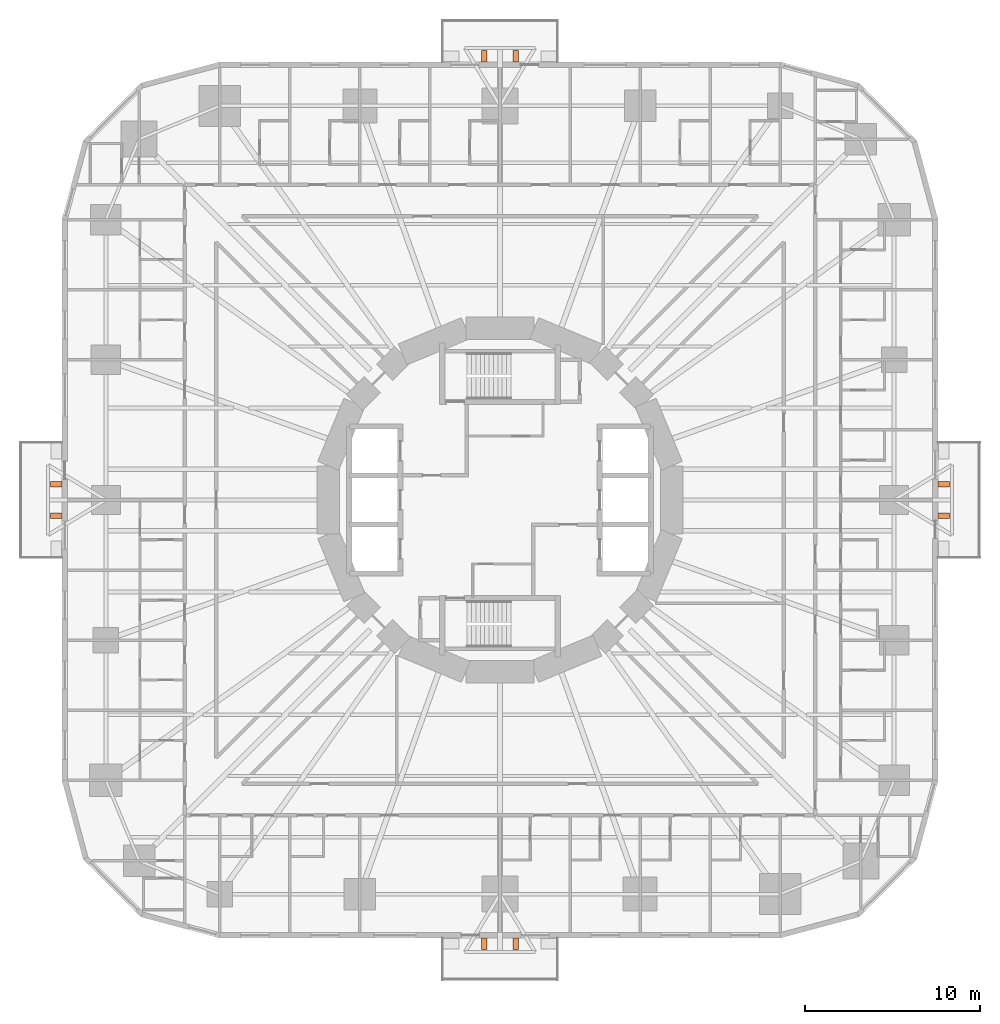
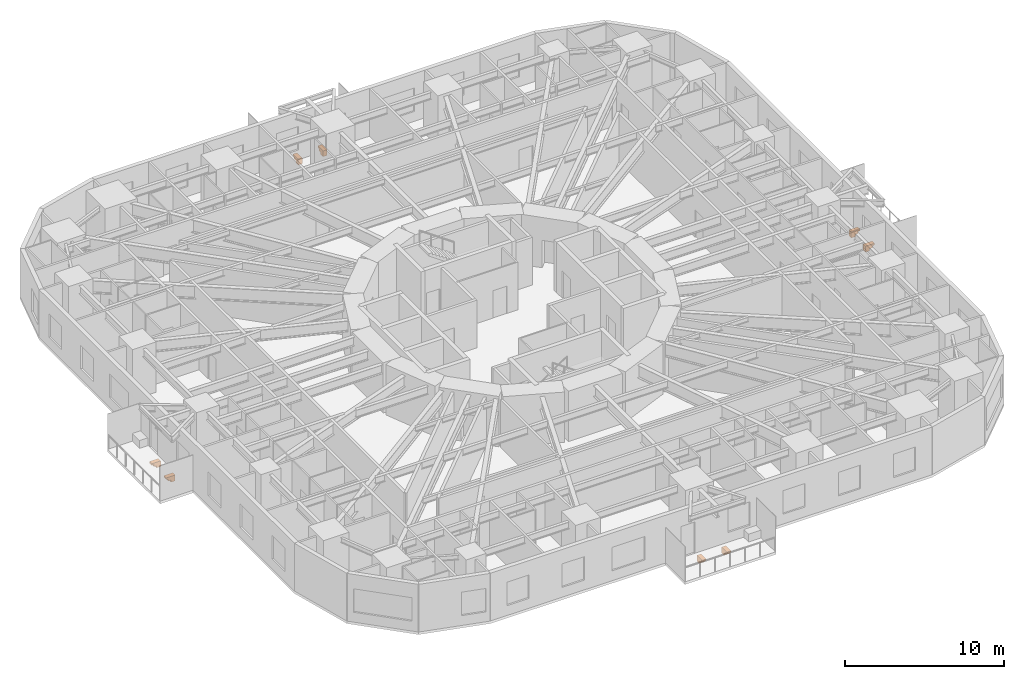
# One storey, part 14 of 14: 8 proxies.
"""IFC4 building model written with IfcOpenShell, lengths in metres."""

from ifc_helpers import new_model, si_unit, direction, frame, origin, place, context, subcontext, project, spatial, polyline, outline, extrude, material, type_object, element, save


model = new_model("IFC4")

# Units and contexts
model_context = context("Model", 3, precision=1e-05, world=origin(), true_north=direction((0.0, 1.0)))
body_context = subcontext(model_context, "Body", "Model", "MODEL_VIEW")
ifc_project = project(units=[si_unit("LENGTHUNIT", "METRE"), si_unit("AREAUNIT", "SQUARE_METRE"), si_unit("VOLUMEUNIT", "CUBIC_METRE"), si_unit("PLANEANGLEUNIT", "RADIAN"), si_unit("MASSUNIT", "GRAM", prefix="KILO")], contexts=[model_context])

# Site, building, storey
site_placement = place(None, origin())
site = spatial("IfcSite", under=ifc_project, at=site_placement, CompositionType="ELEMENT")
building_placement = place(site_placement, origin())
building = spatial("IfcBuilding", under=site, at=building_placement, Name="Nakasero Lantern House", CompositionType="ELEMENT")
storey_placement = place(building_placement, frame((0.0, 0.0, 46.800048828125)))
storey = spatial("IfcBuildingStorey", under=building, at=storey_placement, Name="L11", CompositionType="ELEMENT", Elevation=46.800048828125)

# Proxies
ifc_material = material(Name="Concrete C40/50 precast", Category="concrete")
building_element_proxy_type = type_object("IfcBuildingElementProxyType", Name="Balcony bracket 300", PredefinedType="USERDEFINED", material=ifc_material)
for number, where, z_axis, x_axis, name in (
    (1, (25.0, -0.89990234375, -0.199951171875), (0.0, 0.0, 1.0), (1.0, 0.0, 0.0), "Balcony bracket L11 0A"),
    (2, (25.0, 0.89990234375, -0.199951171875), (0.0, 0.0, 1.0), (1.0, 0.0, 0.0), "Balcony bracket L11 0B"),
    (3, (0.89990234375, 25.0, -0.199951171875), (0.0, 0.0, 1.0), (0.0, 1.0, 0.0), "Balcony bracket L11 1A"),
    (4, (-0.89990234375, 25.0, -0.199951171875), (0.0, 0.0, 1.0), (0.0, 1.0, 0.0), "Balcony bracket L11 1B"),
    (5, (-25.0, 0.89990234375, -0.199951171875), (0.0, 0.0, 1.0), (-1.0, 0.0, 0.0), "Balcony bracket L11 2A"),
    (6, (-25.0, -0.89990234375, -0.199951171875), (0.0, 0.0, 1.0), (-1.0, 0.0, 0.0), "Balcony bracket L11 2B"),
    (7, (-0.89990234375, -25.0, -0.199951171875), (0.0, 0.0, 1.0), (0.0, -1.0, 0.0), "Balcony bracket L11 3A"),
    (8, (0.89990234375, -25.0, -0.199951171875), (0.0, 0.0, 1.0), (0.0, -1.0, 0.0), "Balcony bracket L11 3B"),
):
    element("IfcBuildingElementProxy", number, at=place(storey_placement, frame(where, z_axis=z_axis, x_axis=x_axis)), inside=storey, type_object=building_element_proxy_type, Name=name, ObjectType="BALCONY BRACKET", PredefinedType="USERDEFINED", context=body_context, shape_type="SweptSolid", body=[
        extrude(outline(polyline([(0.0, 0.0), (0.64990234375, 0.0), (0.64990234375, -0.1201171875), (0.5, -0.1201171875), (0.5, -0.280029296875), (0.300048828125, -0.280029296875), (0.300048828125, -0.43994140625), (0.0, -0.43994140625), (0.0, 0.0)])), frame((0.0, 0.14990234375, 0.0), z_axis=(0.0, -1.0, 0.0), x_axis=(1.0, 0.0, 0.0)), (0.0, 0.0, 1.0), 0.300048828125),
    ])

save(model, "model.ifc")
